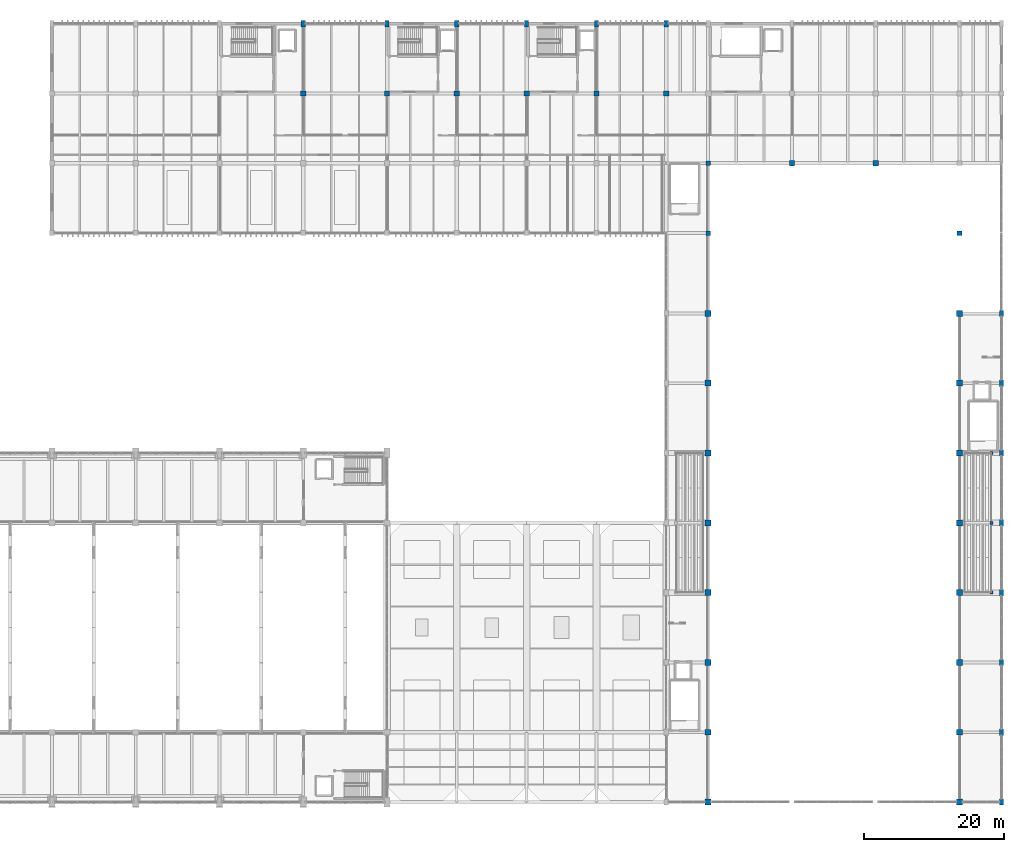
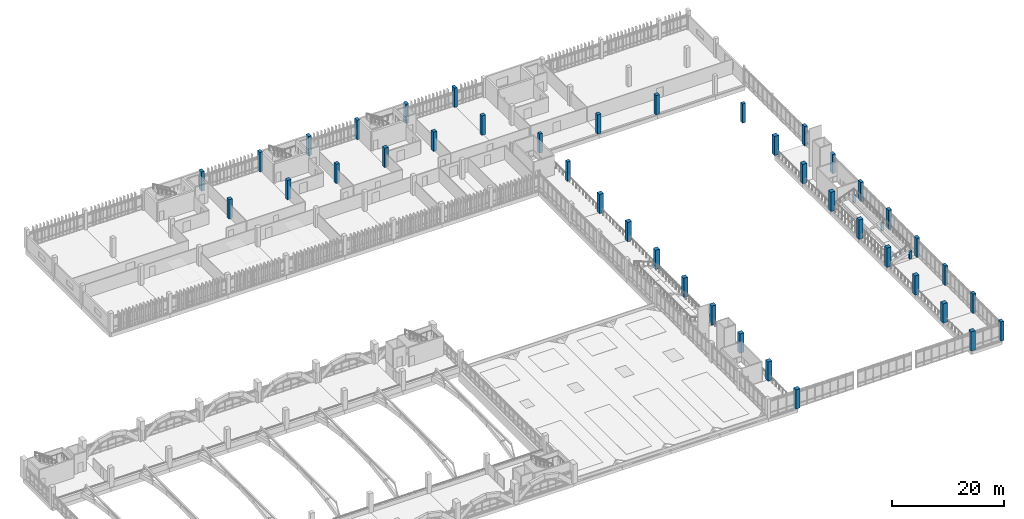
# One storey, part 4 of 161: 44 columns.
"""IFC4 building model written with IfcOpenShell, lengths in metres."""

from ifc_helpers import new_model, si_unit, direction, frame, origin, origin_2d, place, context, subcontext, project, spatial, rectangle, extrude, material, material_profile, profile_set, type_object, element, save


model = new_model("IFC4")

# Units and contexts
model_context = context("Model", 3, precision=1e-05, world=origin(), true_north=direction((0.0, 1.0)))
body_context = subcontext(model_context, "Body", "Model", "MODEL_VIEW")
ifc_project = project(units=[si_unit("LENGTHUNIT", "METRE"), si_unit("AREAUNIT", "SQUARE_METRE"), si_unit("VOLUMEUNIT", "CUBIC_METRE"), si_unit("PLANEANGLEUNIT", "RADIAN"), si_unit("MASSUNIT", "GRAM", prefix="KILO")], contexts=[model_context])

# Site, building, storey
site_placement = place(None, origin())
site = spatial("IfcSite", under=ifc_project, at=site_placement, CompositionType="ELEMENT")
building_placement = place(site_placement, origin())
building = spatial("IfcBuilding", under=site, at=building_placement, Name="Mersad Railyard Sports Hall", CompositionType="ELEMENT")
storey_placement = place(building_placement, frame((0.0, 0.0, 4.800048828125)))
storey = spatial("IfcBuildingStorey", under=building, at=storey_placement, Name="L01", CompositionType="ELEMENT", Elevation=4.800048828125)

# Columns
ifc_material_1 = material(Name="Concrete C50/60", Category="concrete")
ifc_material_profile_1 = material_profile(ifc_material_1, rectangle(XDim=0.85009765625, YDim=0.85009765625, at=origin_2d()), Name="RC 850x850")
ifc_profile_set_1 = profile_set([ifc_material_profile_1], Name="Concrete C50/60")
column_type_1 = type_object("IfcColumnType", Name="STR-COL-C02", PredefinedType="COLUMN", material=ifc_profile_set_1)
for number, where, z_axis, x_axis, name in (
    (1, (137.0, 3.5, 0.0), (0.0, 0.0, 1.0), (1.0, 0.0, 0.0), "Column C02 L01 (137.0,3.5)"),
    (2, (137.0, 13.5, 0.0), (0.0, 0.0, 1.0), (1.0, 0.0, 0.0), "Column C02 L01 (137.0,13.5)"),
    (3, (137.0, 23.5, 0.0), (0.0, 0.0, 1.0), (1.0, 0.0, 0.0), "Column C02 L01 (137.0,23.5)"),
    (4, (137.0, 33.5, 0.0), (0.0, 0.0, 1.0), (1.0, 0.0, 0.0), "Column C02 L01 (137.0,33.5)"),
    (5, (137.0, 43.5, 0.0), (0.0, 0.0, 1.0), (1.0, 0.0, 0.0), "Column C02 L01 (137.0,43.5)"),
    (6, (137.0, 53.5, 0.0), (0.0, 0.0, 1.0), (1.0, 0.0, 0.0), "Column C02 L01 (137.0,53.5)"),
    (7, (137.0, 63.5, 0.0), (0.0, 0.0, 1.0), (1.0, 0.0, 0.0), "Column C02 L01 (137.0,63.5)"),
    (8, (137.0, 73.5, 0.0), (0.0, 0.0, 1.0), (1.0, 0.0, 0.0), "Column C02 L01 (137.0,73.5)"),
    (9, (173.0, 3.5, 0.0), (0.0, 0.0, 1.0), (1.0, 0.0, 0.0), "Column C02 L01 (173.0,3.5)"),
    (10, (173.0, 13.5, 0.0), (0.0, 0.0, 1.0), (1.0, 0.0, 0.0), "Column C02 L01 (173.0,13.5)"),
    (11, (173.0, 23.5, 0.0), (0.0, 0.0, 1.0), (1.0, 0.0, 0.0), "Column C02 L01 (173.0,23.5)"),
    (12, (173.0, 33.5, 0.0), (0.0, 0.0, 1.0), (1.0, 0.0, 0.0), "Column C02 L01 (173.0,33.5)"),
    (13, (173.0, 43.5, 0.0), (0.0, 0.0, 1.0), (1.0, 0.0, 0.0), "Column C02 L01 (173.0,43.5)"),
    (14, (173.0, 53.5, 0.0), (0.0, 0.0, 1.0), (1.0, 0.0, 0.0), "Column C02 L01 (173.0,53.5)"),
    (15, (173.0, 63.5, 0.0), (0.0, 0.0, 1.0), (1.0, 0.0, 0.0), "Column C02 L01 (173.0,63.5)"),
    (16, (173.0, 73.5, 0.0), (0.0, 0.0, 1.0), (1.0, 0.0, 0.0), "Column C02 L01 (173.0,73.5)"),
):
    element("IfcColumn", number, at=place(storey_placement, frame(where, z_axis=z_axis, x_axis=x_axis)), inside=storey, type_object=column_type_1, Name=name, PredefinedType="COLUMN", context=body_context, shape_type="SweptSolid", body=[
        extrude(rectangle(XDim=0.85009765625, YDim=0.85009765625, at=origin_2d()), origin(), (0.0, 0.0, 1.0), 4.199951171875),
    ])
ifc_material_profile_2 = material_profile(ifc_material_1, rectangle(XDim=0.75, YDim=0.75, at=origin_2d()), Name="RC 750x750")
ifc_profile_set_2 = profile_set([ifc_material_profile_2], Name="Concrete C50/60")
column_type_2 = type_object("IfcColumnType", Name="STR-COL-C03", PredefinedType="COLUMN", material=ifc_profile_set_2)
for number, where, z_axis, x_axis, name in (
    (17, (79.0, 105.0, 0.0), (0.0, 0.0, 1.0), (1.0, 0.0, 0.0), "Column C03 L01 (79.0,105.0)"),
    (18, (91.0, 105.0, 0.0), (0.0, 0.0, 1.0), (1.0, 0.0, 0.0), "Column C03 L01 (91.0,105.0)"),
    (19, (101.0, 105.0, 0.0), (0.0, 0.0, 1.0), (1.0, 0.0, 0.0), "Column C03 L01 (101.0,105.0)"),
    (20, (111.0, 105.0, 0.0), (0.0, 0.0, 1.0), (1.0, 0.0, 0.0), "Column C03 L01 (111.0,105.0)"),
    (21, (121.0, 105.0, 0.0), (0.0, 0.0, 1.0), (1.0, 0.0, 0.0), "Column C03 L01 (121.0,105.0)"),
    (22, (131.0, 105.0, 0.0), (0.0, 0.0, 1.0), (1.0, 0.0, 0.0), "Column C03 L01 (131.0,105.0)"),
    (23, (149.0, 95.0, 0.0), (0.0, 0.0, 1.0), (1.0, 0.0, 0.0), "Column C03 L01 (149.0,95.0)"),
    (24, (161.0, 95.0, 0.0), (0.0, 0.0, 1.0), (1.0, 0.0, 0.0), "Column C03 L01 (161.0,95.0)"),
):
    element("IfcColumn", number, at=place(storey_placement, frame(where, z_axis=z_axis, x_axis=x_axis)), inside=storey, type_object=column_type_2, Name=name, PredefinedType="COLUMN", context=body_context, shape_type="SweptSolid", body=[
        extrude(rectangle(XDim=0.75, YDim=0.75, at=origin_2d()), origin(), (0.0, 0.0, 1.0), 4.199951171875),
    ])
ifc_material_2 = material(Name="Concrete C40/50", Category="concrete")
ifc_material_profile_3 = material_profile(ifc_material_2, rectangle(XDim=0.64990234375, YDim=0.64990234375, at=origin_2d()), Name="RC 650x650")
ifc_profile_set_3 = profile_set([ifc_material_profile_3], Name="Concrete C40/50")
column_type_3 = type_object("IfcColumnType", Name="STR-COL-C04", PredefinedType="COLUMN", material=ifc_profile_set_3)
for number, where, z_axis, x_axis, name in (
    (25, (137.0, 85.0, 0.0), (0.0, 0.0, 1.0), (1.0, 0.0, 0.0), "Column C04 L01 (137.0,85.0)"),
    (26, (137.0, 95.0, 0.0), (0.0, 0.0, 1.0), (1.0, 0.0, 0.0), "Column C04 L01 (137.0,95.0)"),
    (27, (173.0, 85.0, 0.0), (0.0, 0.0, 1.0), (1.0, 0.0, 0.0), "Column C04 L01 (173.0,85.0)"),
):
    element("IfcColumn", number, at=place(storey_placement, frame(where, z_axis=z_axis, x_axis=x_axis)), inside=storey, type_object=column_type_3, Name=name, PredefinedType="COLUMN", context=body_context, shape_type="SweptSolid", body=[
        extrude(rectangle(XDim=0.64990234375, YDim=0.64990234375, at=origin_2d()), origin(), (0.0, 0.0, 1.0), 4.199951171875),
    ])
ifc_material_profile_4 = material_profile(ifc_material_2, rectangle(XDim=0.449951171875, YDim=0.449951171875, at=origin_2d()), Name="RC 450x450")
ifc_profile_set_4 = profile_set([ifc_material_profile_4], Name="Concrete C40/50")
column_type_4 = type_object("IfcColumnType", Name="STR-COL-C06", PredefinedType="COLUMN", material=ifc_profile_set_4)
for number, where, z_axis, x_axis, name in (
    (28, (177.60009765625, 33.5, 0.0), (0.0, 0.0, 1.0), (1.0, 0.0, 0.0), "Column C06 L01 (177.6,33.5)"),
    (29, (177.60009765625, 43.5, 0.0), (0.0, 0.0, 1.0), (1.0, 0.0, 0.0), "Column C06 L01 (177.6,43.5)"),
    (30, (177.60009765625, 53.5, 0.0), (0.0, 0.0, 1.0), (1.0, 0.0, 0.0), "Column C06 L01 (177.6,53.5)"),
):
    element("IfcColumn", number, at=place(storey_placement, frame(where, z_axis=z_axis, x_axis=x_axis)), inside=storey, type_object=column_type_4, Name=name, PredefinedType="COLUMN", context=body_context, shape_type="SweptSolid", body=[
        extrude(rectangle(XDim=0.449951171875, YDim=0.449951171875, at=origin_2d()), origin(), (0.0, 0.0, 1.0), 1.699951171875),
    ])
ifc_material_profile_5 = material_profile(ifc_material_1, rectangle(XDim=0.60009765625, YDim=0.89990234375, at=origin_2d()), Name="RC 600x900")
ifc_profile_set_5 = profile_set([ifc_material_profile_5], Name="Concrete C50/60")
column_type_5 = type_object("IfcColumnType", Name="STR-COL-C07", PredefinedType="COLUMN", material=ifc_profile_set_5)
for number, where, z_axis, x_axis, name in (
    (31, (179.0, 3.5, 0.0), (0.0, 0.0, 1.0), (1.0, 0.0, 0.0), "Column C07 L01 (179.0,3.5)"),
    (32, (179.0, 13.5, 0.0), (0.0, 0.0, 1.0), (1.0, 0.0, 0.0), "Column C07 L01 (179.0,13.5)"),
    (33, (179.0, 23.5, 0.0), (0.0, 0.0, 1.0), (1.0, 0.0, 0.0), "Column C07 L01 (179.0,23.5)"),
    (34, (179.0, 33.5, 0.0), (0.0, 0.0, 1.0), (1.0, 0.0, 0.0), "Column C07 L01 (179.0,33.5)"),
    (35, (179.0, 43.5, 0.0), (0.0, 0.0, 1.0), (1.0, 0.0, 0.0), "Column C07 L01 (179.0,43.5)"),
    (36, (179.0, 53.5, 0.0), (0.0, 0.0, 1.0), (1.0, 0.0, 0.0), "Column C07 L01 (179.0,53.5)"),
    (37, (179.0, 63.5, 0.0), (0.0, 0.0, 1.0), (1.0, 0.0, 0.0), "Column C07 L01 (179.0,63.5)"),
    (38, (179.0, 73.5, 0.0), (0.0, 0.0, 1.0), (1.0, 0.0, 0.0), "Column C07 L01 (179.0,73.5)"),
    (39, (79.0, 115.0, 0.0), (0.0, 0.0, 1.0), (1.0, 0.0, 0.0), "Column C07 L01 (79.0,115.0)"),
    (40, (91.0, 115.0, 0.0), (0.0, 0.0, 1.0), (1.0, 0.0, 0.0), "Column C07 L01 (91.0,115.0)"),
    (41, (101.0, 115.0, 0.0), (0.0, 0.0, 1.0), (1.0, 0.0, 0.0), "Column C07 L01 (101.0,115.0)"),
    (42, (111.0, 115.0, 0.0), (0.0, 0.0, 1.0), (1.0, 0.0, 0.0), "Column C07 L01 (111.0,115.0)"),
    (43, (121.0, 115.0, 0.0), (0.0, 0.0, 1.0), (1.0, 0.0, 0.0), "Column C07 L01 (121.0,115.0)"),
    (44, (131.0, 115.0, 0.0), (0.0, 0.0, 1.0), (1.0, 0.0, 0.0), "Column C07 L01 (131.0,115.0)"),
):
    element("IfcColumn", number, at=place(storey_placement, frame(where, z_axis=z_axis, x_axis=x_axis)), inside=storey, type_object=column_type_5, Name=name, PredefinedType="COLUMN", context=body_context, shape_type="SweptSolid", body=[
        extrude(rectangle(XDim=0.60009765625, YDim=0.89990234375, at=origin_2d()), origin(), (0.0, 0.0, 1.0), 4.199951171875),
    ])

save(model, "model.ifc")
